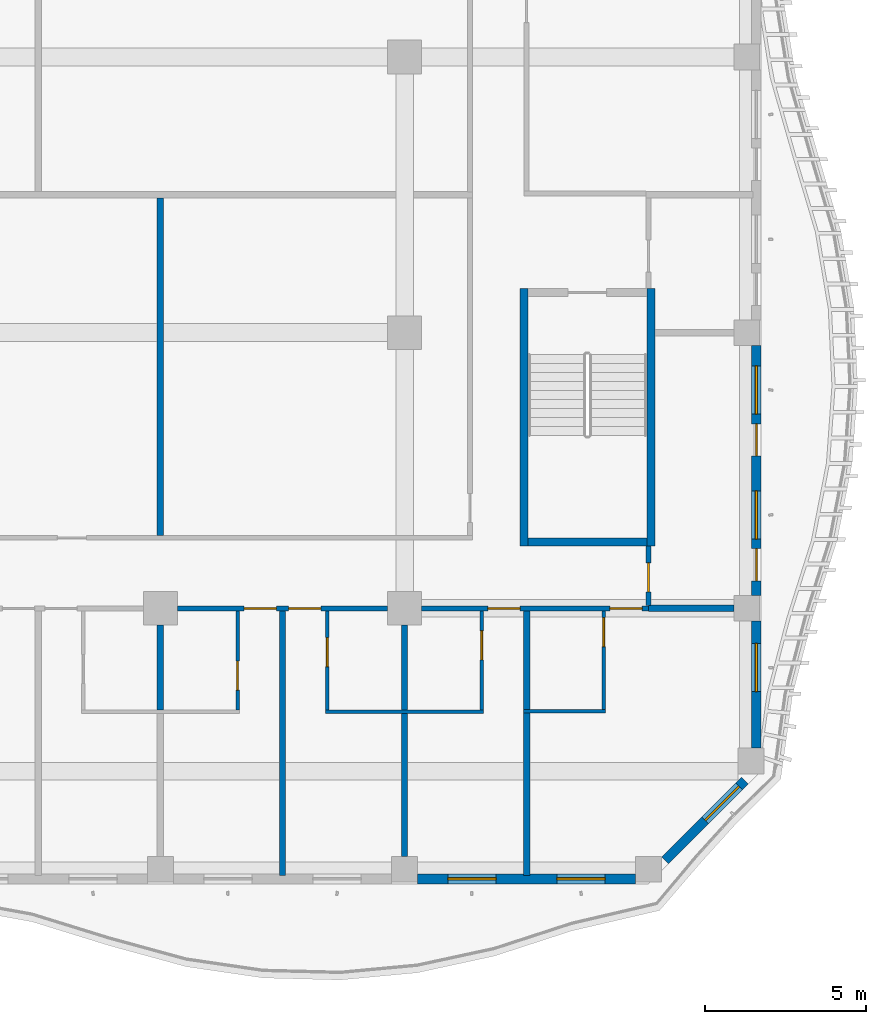
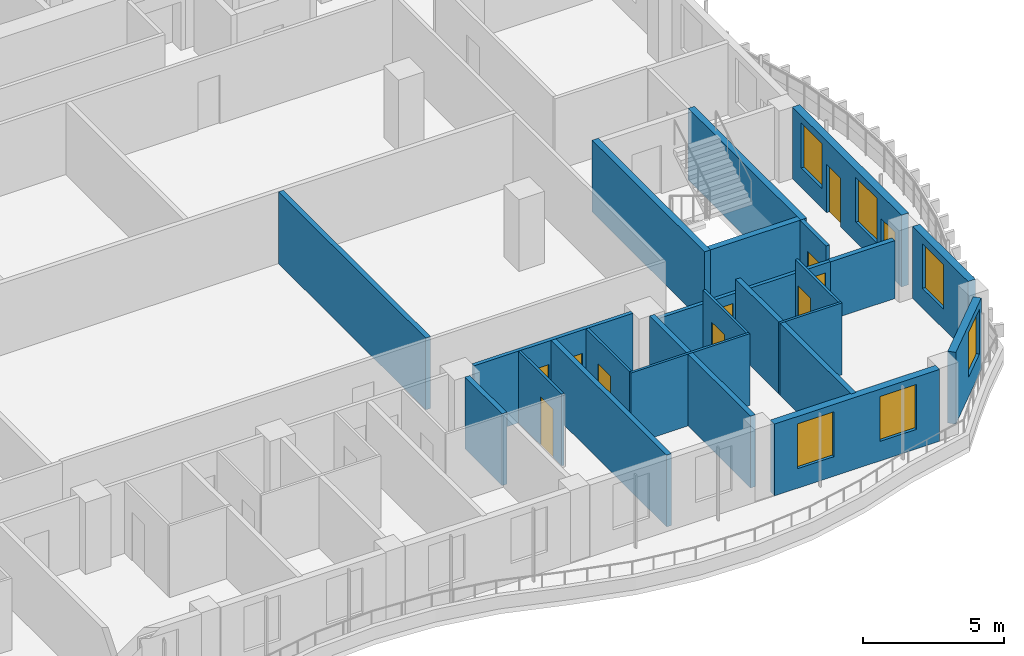
# One storey, part 5 of 22: 24 walls, 11 doors, 6 windows, 17 openings.
"""IFC4 building model written with IfcOpenShell, lengths in metres."""

from ifc_helpers import new_model, si_unit, direction, frame, frame_2d, origin, place, context, subcontext, project, spatial, rectangle, extrude, source, transform, mapped, material, layer, layer_set, type_object, element, fill, save


model = new_model("IFC4")

# Units and contexts
model_context = context("Model", 3, precision=1e-05, world=origin(), true_north=direction((0.0, 1.0)))
body_context = subcontext(model_context, "Body", "Model", "MODEL_VIEW")
ifc_project = project(units=[si_unit("LENGTHUNIT", "METRE"), si_unit("AREAUNIT", "SQUARE_METRE"), si_unit("VOLUMEUNIT", "CUBIC_METRE"), si_unit("PLANEANGLEUNIT", "RADIAN"), si_unit("MASSUNIT", "GRAM", prefix="KILO")], contexts=[model_context])

# Site, building, storey
site_placement = place(None, origin())
site = spatial("IfcSite", under=ifc_project, at=site_placement, CompositionType="ELEMENT")
building_placement = place(site_placement, origin())
building = spatial("IfcBuilding", under=site, at=building_placement, Name="Kilnfold Tower and Market Hall", CompositionType="ELEMENT")
storey_placement = place(building_placement, frame((0.0, 0.0, 188.89990234375)))
storey = spatial("IfcBuildingStorey", under=building, at=storey_placement, Name="L45", CompositionType="ELEMENT", Elevation=188.89990234375)

# Wall, openings, doors
ifc_material_1 = material(Name="Gypsum board on steel studs", Category="steel")
ifc_layer_1 = layer(ifc_material_1, 0.14990234375)
ifc_layer_set_1 = layer_set([ifc_layer_1], Name="Gypsum board on steel studs")
wall_type_1 = type_object("IfcWallType", Name="WALL CORRIDOR 150", PredefinedType="PARTITIONING", material=ifc_layer_set_1)
wall_1_placement = place(storey_placement, frame((7.10791015625, -17.699951171875, 0.0), z_axis=(0.0, 0.0, 1.0), x_axis=(1.0, 0.0, 0.0)))
wall_1 = element("IfcWall", 1, at=wall_1_placement, inside=storey, type_object=wall_type_1, Name="Partition LY28.5", PredefinedType="PARTITIONING", context=body_context, shape_type="SweptSolid", body=[
    extrude(rectangle(XDim=6.5341796875, YDim=0.14990234375, at=frame_2d((3.26708984375, 0.0))), origin(), (0.0, 0.0, 1.0), 3.1201171875),
])
opening_1_placement = place(wall_1_placement, frame((2.076904296875, 0.0, 0.0)))
opening_1 = element("IfcOpeningElement", 2, at=opening_1_placement, cuts=wall_1, Name="Opening D1", PredefinedType="OPENING", context=body_context, shape_type="SweptSolid", body=[
    extrude(rectangle(XDim=1.0, YDim=2.10009765625, at=frame_2d((0.5, 1.050048828125))), frame((0.0, 0.0849609375, 0.0), z_axis=(0.0, -1.0, 0.0), x_axis=(1.0, 0.0, 0.0)), (0.0, 0.0, 1.0), 0.169921875),
])
opening_2_placement = place(wall_1_placement, frame((3.45703125, 0.0, 0.0)))
opening_2 = element("IfcOpeningElement", 3, at=opening_2_placement, cuts=wall_1, Name="Opening D1", PredefinedType="OPENING", context=body_context, shape_type="SweptSolid", body=[
    extrude(rectangle(XDim=1.0, YDim=2.10009765625, at=frame_2d((0.5, 1.050048828125))), frame((0.0, 0.0849609375, 0.0), z_axis=(0.0, -1.0, 0.0), x_axis=(1.0, 0.0, 0.0)), (0.0, 0.0, 1.0), 0.169921875),
])
ifc_material_2 = material(Name="Timber veneer door leaf in steel frame", Category="steel")
door_type_1 = type_object("IfcDoorType", Name="DOOR ENTRY 1000 X2100", OperationType="NOTDEFINED", PredefinedType="DOOR", material=ifc_material_2)
door_1_placement = place(opening_1_placement, origin())
door_1 = element("IfcDoor", 4, at=door_1_placement, inside=storey, type_object=door_type_1, Name="Door D1", OperationType="SINGLE_SWING_RIGHT", OverallHeight=2.10009765625, OverallWidth=1.0, PredefinedType="DOOR", context=body_context, shape_type="SweptSolid", body=[
    extrude(rectangle(XDim=1.0, YDim=2.10009765625, at=frame_2d((0.5, 1.050048828125))), frame((0.0, 0.02490234375, 0.0), z_axis=(0.0, -1.0, 0.0), x_axis=(1.0, 0.0, 0.0)), (0.0, 0.0, 1.0), 0.050048828125),
])
fill(opening_1, door_1)
door_2_placement = place(opening_2_placement, origin())
door_2 = element("IfcDoor", 5, at=door_2_placement, inside=storey, type_object=door_type_1, Name="Door D1", OperationType="SINGLE_SWING_LEFT", OverallHeight=2.10009765625, OverallWidth=1.0, PredefinedType="DOOR", context=body_context, shape_type="SweptSolid", body=[
    extrude(rectangle(XDim=1.0, YDim=2.10009765625, at=frame_2d((0.5, 1.050048828125))), frame((0.0, 0.02490234375, 0.0), z_axis=(0.0, -1.0, 0.0), x_axis=(1.0, 0.0, 0.0)), (0.0, 0.0, 1.0), 0.050048828125),
])
fill(opening_2, door_2)

wall_2_placement = place(storey_placement, frame((14.69189453125, -17.699951171875, 0.0), z_axis=(0.0, 0.0, 1.0), x_axis=(1.0, 0.0, 0.0)))
wall_2 = element("IfcWall", 6, at=wall_2_placement, inside=storey, type_object=wall_type_1, Name="Partition LY28.6", PredefinedType="PARTITIONING", context=body_context, shape_type="SweptSolid", body=[
    extrude(rectangle(XDim=7.05810546875, YDim=0.14990234375, at=frame_2d((3.529052734375, 0.0))), origin(), (0.0, 0.0, 1.0), 2.52001953125),
])
opening_3_placement = place(wall_2_placement, frame((2.06494140625, 0.0, 0.0)))
opening_3 = element("IfcOpeningElement", 7, at=opening_3_placement, cuts=wall_2, Name="Opening D1", PredefinedType="OPENING", context=body_context, shape_type="SweptSolid", body=[
    extrude(rectangle(XDim=1.0, YDim=2.10009765625, at=frame_2d((0.5, 1.050048828125))), frame((0.0, 0.0849609375, 0.0), z_axis=(0.0, -1.0, 0.0), x_axis=(1.0, 0.0, 0.0)), (0.0, 0.0, 1.0), 0.169921875),
])
opening_4_placement = place(wall_2_placement, frame((5.85791015625, 0.0, 0.0)))
opening_4 = element("IfcOpeningElement", 8, at=opening_4_placement, cuts=wall_2, Name="Opening D1", PredefinedType="OPENING", context=body_context, shape_type="SweptSolid", body=[
    extrude(rectangle(XDim=1.0, YDim=2.10009765625, at=frame_2d((0.5, 1.050048828125))), frame((0.0, 0.0849609375, 0.0), z_axis=(0.0, -1.0, 0.0), x_axis=(1.0, 0.0, 0.0)), (0.0, 0.0, 1.0), 0.169921875),
])
door_3_placement = place(opening_3_placement, origin())
door_3 = element("IfcDoor", 9, at=door_3_placement, inside=storey, type_object=door_type_1, Name="Door D1", OperationType="SINGLE_SWING_LEFT", OverallHeight=2.10009765625, OverallWidth=1.0, PredefinedType="DOOR", context=body_context, shape_type="SweptSolid", body=[
    extrude(rectangle(XDim=1.0, YDim=2.10009765625, at=frame_2d((0.5, 1.050048828125))), frame((0.0, 0.02490234375, 0.0), z_axis=(0.0, -1.0, 0.0), x_axis=(1.0, 0.0, 0.0)), (0.0, 0.0, 1.0), 0.050048828125),
])
fill(opening_3, door_3)
door_4_placement = place(opening_4_placement, origin())
door_4 = element("IfcDoor", 10, at=door_4_placement, inside=storey, type_object=door_type_1, Name="Door D1", OperationType="SINGLE_SWING_RIGHT", OverallHeight=2.10009765625, OverallWidth=1.0, PredefinedType="DOOR", context=body_context, shape_type="SweptSolid", body=[
    extrude(rectangle(XDim=1.0, YDim=2.10009765625, at=frame_2d((0.5, 1.050048828125))), frame((0.0, 0.02490234375, 0.0), z_axis=(0.0, -1.0, 0.0), x_axis=(1.0, 0.0, 0.0)), (0.0, 0.0, 1.0), 0.050048828125),
])
fill(opening_4, door_4)

# Wall, opening, door
wall_3_placement = place(storey_placement, frame((21.75, -17.597900390625, 0.0), z_axis=(0.0, 0.0, 1.0), x_axis=(0.0, 1.0, 0.0)))
wall_3 = element("IfcWall", 11, at=wall_3_placement, inside=storey, type_object=wall_type_1, Name="Partition LY28.38", PredefinedType="PARTITIONING", context=body_context, shape_type="SweptSolid", body=[
    extrude(rectangle(XDim=1.847900390625, YDim=0.14990234375, at=frame_2d((0.923828125, 0.0))), origin(), (0.0, 0.0, 1.0), 3.1201171875),
])
opening_5_placement = place(wall_3_placement, frame((0.4189453125, 0.0, 0.0)))
opening_5 = element("IfcOpeningElement", 12, at=opening_5_placement, cuts=wall_3, Name="Opening D2", PredefinedType="OPENING", context=body_context, shape_type="SweptSolid", body=[
    extrude(rectangle(XDim=0.89990234375, YDim=2.10009765625, at=frame_2d((0.449951171875, 1.050048828125))), frame((0.0, 0.0849609375, 0.0), z_axis=(0.0, -1.0, 0.0), x_axis=(1.0, 0.0, 0.0)), (0.0, 0.0, 1.0), 0.169921875),
])
ifc_material_3 = material(Name="Timber veneer door leaf in steel frame", Category="steel")
door_type_2 = type_object("IfcDoorType", Name="DOOR ROOM 900 X2100", OperationType="NOTDEFINED", PredefinedType="DOOR", material=ifc_material_3)
door_5_placement = place(opening_5_placement, origin())
door_5 = element("IfcDoor", 13, at=door_5_placement, inside=storey, type_object=door_type_2, Name="Door D2", OperationType="SINGLE_SWING_LEFT", OverallHeight=2.10009765625, OverallWidth=0.89990234375, PredefinedType="DOOR", context=body_context, shape_type="SweptSolid", body=[
    extrude(rectangle(XDim=0.89990234375, YDim=2.10009765625, at=frame_2d((0.449951171875, 1.050048828125))), frame((0.0, 0.02490234375, 0.0), z_axis=(0.0, -1.0, 0.0), x_axis=(1.0, 0.0, 0.0)), (0.0, 0.0, 1.0), 0.050048828125),
])
fill(opening_5, door_5)

ifc_material_4 = material(Name="Gypsum board on steel studs", Category="steel")
ifc_layer_2 = layer(ifc_material_4, 0.10009765625)
ifc_layer_set_2 = layer_set([ifc_layer_2], Name="Gypsum board on steel studs")
wall_type_2 = type_object("IfcWallType", Name="WALL PARTITION 100", PredefinedType="PARTITIONING", material=ifc_layer_set_2)
wall_4_placement = place(storey_placement, frame((8.98291015625, -17.777099609375, 0.0), z_axis=(0.0, 0.0, 1.0), x_axis=(0.0, -1.0, 0.0)))
wall_4 = element("IfcWall", 14, at=wall_4_placement, inside=storey, type_object=wall_type_2, Name="Partition LY28.75", PredefinedType="PARTITIONING", context=body_context, shape_type="SweptSolid", body=[
    extrude(rectangle(XDim=3.074951171875, YDim=0.10009765625, at=frame_2d((1.53759765625, 0.0))), origin(), (0.0, 0.0, 1.0), 3.1201171875),
])
opening_6_placement = place(wall_4_placement, frame((1.556884765625, 0.0, 0.0)))
opening_6 = element("IfcOpeningElement", 15, at=opening_6_placement, cuts=wall_4, Name="Opening D3", PredefinedType="OPENING", context=body_context, shape_type="SweptSolid", body=[
    extrude(rectangle(XDim=0.89990234375, YDim=2.10009765625, at=frame_2d((0.449951171875, 1.050048828125))), frame((0.0, 0.06005859375, 0.0), z_axis=(0.0, -1.0, 0.0), x_axis=(1.0, 0.0, 0.0)), (0.0, 0.0, 1.0), 0.1201171875),
])
ifc_material_5 = material(Name="Timber veneer door leaf in steel frame", Category="steel")
door_type_3 = type_object("IfcDoorType", Name="DOOR WC 900 X2100", OperationType="NOTDEFINED", PredefinedType="DOOR", material=ifc_material_5)
door_6_placement = place(opening_6_placement, origin())
door_6 = element("IfcDoor", 16, at=door_6_placement, inside=storey, type_object=door_type_3, Name="Door D3", OperationType="SINGLE_SWING_RIGHT", OverallHeight=2.10009765625, OverallWidth=0.89990234375, PredefinedType="DOOR", context=body_context, shape_type="SweptSolid", body=[
    extrude(rectangle(XDim=0.89990234375, YDim=2.10009765625, at=frame_2d((0.449951171875, 1.050048828125))), frame((0.0, 0.02490234375, 0.0), z_axis=(0.0, -1.0, 0.0), x_axis=(1.0, 0.0, 0.0)), (0.0, 0.0, 1.0), 0.050048828125),
])
fill(opening_6, door_6)

wall_5_placement = place(storey_placement, frame((11.76708984375, -20.85205078125, 0.0), z_axis=(0.0, 0.0, 1.0), x_axis=(0.0, 1.0, 0.0)))
wall_5 = element("IfcWall", 17, at=wall_5_placement, inside=storey, type_object=wall_type_2, Name="Partition LY28.77", PredefinedType="PARTITIONING", context=body_context, shape_type="SweptSolid", body=[
    extrude(rectangle(XDim=3.074951171875, YDim=0.10009765625, at=frame_2d((1.53759765625, 0.0))), origin(), (0.0, 0.0, 1.0), 3.1201171875),
])
opening_7_placement = place(wall_5_placement, frame((1.34912109375, 0.0, 0.0)))
opening_7 = element("IfcOpeningElement", 18, at=opening_7_placement, cuts=wall_5, Name="Opening D3", PredefinedType="OPENING", context=body_context, shape_type="SweptSolid", body=[
    extrude(rectangle(XDim=0.89990234375, YDim=2.10009765625, at=frame_2d((0.449951171875, 1.050048828125))), frame((0.0, 0.06005859375, 0.0), z_axis=(0.0, -1.0, 0.0), x_axis=(1.0, 0.0, 0.0)), (0.0, 0.0, 1.0), 0.1201171875),
])
door_7_placement = place(opening_7_placement, origin())
door_7 = element("IfcDoor", 19, at=door_7_placement, inside=storey, type_object=door_type_3, Name="Door D3", OperationType="SINGLE_SWING_RIGHT", OverallHeight=2.10009765625, OverallWidth=0.89990234375, PredefinedType="DOOR", context=body_context, shape_type="SweptSolid", body=[
    extrude(rectangle(XDim=0.89990234375, YDim=2.10009765625, at=frame_2d((0.449951171875, 1.050048828125))), frame((0.0, 0.02490234375, 0.0), z_axis=(0.0, -1.0, 0.0), x_axis=(1.0, 0.0, 0.0)), (0.0, 0.0, 1.0), 0.050048828125),
])
fill(opening_7, door_7)

# Wall
wall_6_placement = place(storey_placement, frame((11.717041015625, -20.902099609375, 0.0), z_axis=(0.0, 0.0, 1.0), x_axis=(1.0, 0.0, 0.0)))
element("IfcWall", 20, at=wall_6_placement, inside=storey, type_object=wall_type_2, Name="Partition LY28.78", PredefinedType="PARTITIONING", context=body_context, shape_type="SweptSolid", body=[
    extrude(rectangle(XDim=4.89990234375, YDim=0.10009765625, at=frame_2d((2.449951171875, 0.0))), origin(), (0.0, 0.0, 1.0), 3.1201171875),
])

# Wall, opening, door
wall_7_placement = place(storey_placement, frame((16.56689453125, -17.777099609375, 0.0), z_axis=(0.0, 0.0, 1.0), x_axis=(0.0, -1.0, 0.0)))
wall_7 = element("IfcWall", 21, at=wall_7_placement, inside=storey, type_object=wall_type_2, Name="Partition LY28.81", PredefinedType="PARTITIONING", context=body_context, shape_type="SweptSolid", body=[
    extrude(rectangle(XDim=3.074951171875, YDim=0.10009765625, at=frame_2d((1.53759765625, 0.0))), origin(), (0.0, 0.0, 1.0), 3.1201171875),
])
opening_8_placement = place(wall_7_placement, frame((0.617919921875, 0.0, 0.0)))
opening_8 = element("IfcOpeningElement", 22, at=opening_8_placement, cuts=wall_7, Name="Opening D3", PredefinedType="OPENING", context=body_context, shape_type="SweptSolid", body=[
    extrude(rectangle(XDim=0.89990234375, YDim=2.10009765625, at=frame_2d((0.449951171875, 1.050048828125))), frame((0.0, 0.06005859375, 0.0), z_axis=(0.0, -1.0, 0.0), x_axis=(1.0, 0.0, 0.0)), (0.0, 0.0, 1.0), 0.1201171875),
])
door_8_placement = place(opening_8_placement, origin())
door_8 = element("IfcDoor", 23, at=door_8_placement, inside=storey, type_object=door_type_3, Name="Door D3", OperationType="SINGLE_SWING_LEFT", OverallHeight=2.10009765625, OverallWidth=0.89990234375, PredefinedType="DOOR", context=body_context, shape_type="SweptSolid", body=[
    extrude(rectangle(XDim=0.89990234375, YDim=2.10009765625, at=frame_2d((0.449951171875, 1.050048828125))), frame((0.0, 0.02490234375, 0.0), z_axis=(0.0, -1.0, 0.0), x_axis=(1.0, 0.0, 0.0)), (0.0, 0.0, 1.0), 0.050048828125),
])
fill(opening_8, door_8)

# Wall
wall_8_placement = place(storey_placement, frame((17.85888671875, -20.887939453125, 0.0), z_axis=(0.0, 0.0, 1.0), x_axis=(1.0, 0.0, 0.0)))
element("IfcWall", 24, at=wall_8_placement, inside=storey, type_object=wall_type_2, Name="Partition LY28.84", PredefinedType="PARTITIONING", context=body_context, shape_type="SweptSolid", body=[
    extrude(rectangle(XDim=2.550048828125, YDim=0.10009765625, at=frame_2d((1.27490234375, 0.0))), origin(), (0.0, 0.0, 1.0), 3.1201171875),
])

# Wall, opening, door
wall_9_placement = place(storey_placement, frame((20.35888671875, -17.777099609375, 0.0), z_axis=(0.0, 0.0, 1.0), x_axis=(0.0, -1.0, 0.0)))
wall_9 = element("IfcWall", 25, at=wall_9_placement, inside=storey, type_object=wall_type_2, Name="Partition LY28.85", PredefinedType="PARTITIONING", context=body_context, shape_type="SweptSolid", body=[
    extrude(rectangle(XDim=3.060791015625, YDim=0.10009765625, at=frame_2d((1.5302734375, 0.0))), origin(), (0.0, 0.0, 1.0), 3.1201171875),
])
opening_9_placement = place(wall_9_placement, frame((0.199951171875, 0.0, 0.0)))
opening_9 = element("IfcOpeningElement", 26, at=opening_9_placement, cuts=wall_9, Name="Opening D3", PredefinedType="OPENING", context=body_context, shape_type="SweptSolid", body=[
    extrude(rectangle(XDim=0.89990234375, YDim=2.10009765625, at=frame_2d((0.449951171875, 1.050048828125))), frame((0.0, 0.06005859375, 0.0), z_axis=(0.0, -1.0, 0.0), x_axis=(1.0, 0.0, 0.0)), (0.0, 0.0, 1.0), 0.1201171875),
])
door_9_placement = place(opening_9_placement, origin())
door_9 = element("IfcDoor", 27, at=door_9_placement, inside=storey, type_object=door_type_3, Name="Door D3", OperationType="SINGLE_SWING_LEFT", OverallHeight=2.10009765625, OverallWidth=0.89990234375, PredefinedType="DOOR", context=body_context, shape_type="SweptSolid", body=[
    extrude(rectangle(XDim=0.89990234375, YDim=2.10009765625, at=frame_2d((0.449951171875, 1.050048828125))), frame((0.0, 0.02490234375, 0.0), z_axis=(0.0, -1.0, 0.0), x_axis=(1.0, 0.0, 0.0)), (0.0, 0.0, 1.0), 0.050048828125),
])
fill(opening_9, door_9)

# Walls
ifc_material_6 = material(Name="Gypsum board on steel studs", Category="steel")
ifc_layer_3 = layer(ifc_material_6, 0.199951171875)
ifc_layer_set_3 = layer_set([ifc_layer_3], Name="Gypsum board on steel studs")
wall_type_3 = type_object("IfcWallType", Name="WALL PARTY 200", PredefinedType="PARTITIONING", material=ifc_layer_set_3)
wall_10_placement = place(storey_placement, frame((6.5830078125, -20.85205078125, 0.0), z_axis=(0.0, 0.0, 1.0), x_axis=(0.0, 1.0, 0.0)))
element("IfcWall", 28, at=wall_10_placement, inside=storey, type_object=wall_type_3, Name="Partition LY28.74", PredefinedType="PARTITIONING", context=body_context, shape_type="SweptSolid", body=[
    extrude(rectangle(XDim=2.64013671875, YDim=0.199951171875, at=frame_2d((1.320068359375, 0.0))), origin(), (0.0, 0.0, 1.0), 3.1201171875),
])
wall_11_placement = place(storey_placement, frame((10.375, -26.0, 0.0), z_axis=(0.0, 0.0, 1.0), x_axis=(0.0, 1.0, 0.0)))
element("IfcWall", 29, at=wall_11_placement, inside=storey, type_object=wall_type_3, Name="Partition LY28.76", PredefinedType="PARTITIONING", context=body_context, shape_type="SweptSolid", body=[
    extrude(rectangle(XDim=8.222900390625, YDim=0.199951171875, at=frame_2d((4.111328125, 0.0))), origin(), (0.0, 0.0, 1.0), 3.1201171875),
])
wall_12_placement = place(storey_placement, frame((14.1669921875, -25.39990234375, 0.0), z_axis=(0.0, 0.0, 1.0), x_axis=(0.0, 1.0, 0.0)))
element("IfcWall", 30, at=wall_12_placement, inside=storey, type_object=wall_type_3, Name="Partition LY28.79", PredefinedType="PARTITIONING", context=body_context, shape_type="SweptSolid", body=[
    extrude(rectangle(XDim=4.447998046875, YDim=0.199951171875, at=frame_2d((2.22412109375, 0.0))), origin(), (0.0, 0.0, 1.0), 3.1201171875),
])
wall_13_placement = place(storey_placement, frame((14.1669921875, -20.85205078125, 0.0), z_axis=(0.0, 0.0, 1.0), x_axis=(0.0, 1.0, 0.0)))
element("IfcWall", 31, at=wall_13_placement, inside=storey, type_object=wall_type_3, Name="Partition LY28.80", PredefinedType="PARTITIONING", context=body_context, shape_type="SweptSolid", body=[
    extrude(rectangle(XDim=2.64013671875, YDim=0.199951171875, at=frame_2d((1.320068359375, 0.0))), origin(), (0.0, 0.0, 1.0), 3.1201171875),
])
wall_14_placement = place(storey_placement, frame((17.958984375, -26.0, 0.0), z_axis=(0.0, 0.0, 1.0), x_axis=(0.0, 1.0, 0.0)))
element("IfcWall", 32, at=wall_14_placement, inside=storey, type_object=wall_type_3, Name="Partition LY28.82", PredefinedType="PARTITIONING", context=body_context, shape_type="SweptSolid", body=[
    extrude(rectangle(XDim=5.072021484375, YDim=0.199951171875, at=frame_2d((2.5361328125, 0.0))), origin(), (0.0, 0.0, 1.0), 3.1201171875),
])
wall_15_placement = place(storey_placement, frame((17.958984375, -20.847900390625, 0.0), z_axis=(0.0, 0.0, 1.0), x_axis=(0.0, 1.0, 0.0)))
element("IfcWall", 33, at=wall_15_placement, inside=storey, type_object=wall_type_3, Name="Partition LY28.83", PredefinedType="PARTITIONING", context=body_context, shape_type="SweptSolid", body=[
    extrude(rectangle(XDim=3.07080078125, YDim=0.199951171875, at=frame_2d((1.535400390625, 0.0))), origin(), (0.0, 0.0, 1.0), 3.1201171875),
])
wall_16_placement = place(storey_placement, frame((21.751953125, -17.68798828125, 0.0), z_axis=(0.0, 0.0, 1.0), x_axis=(1.0, 0.0, 0.0)))
element("IfcWall", 34, at=wall_16_placement, inside=storey, type_object=wall_type_3, Name="Partition LY28.86", PredefinedType="PARTITIONING", context=body_context, shape_type="SweptSolid", body=[
    extrude(rectangle(XDim=2.64794921875, YDim=0.199951171875, at=frame_2d((1.323974609375, 0.0))), origin(), (0.0, 0.0, 1.0), 2.52001953125),
])
wall_17_placement = place(storey_placement, frame((6.5830078125, -15.423095703125, 0.0), z_axis=(0.0, 0.0, 1.0), x_axis=(0.0, 1.0, 0.0)))
element("IfcWall", 35, at=wall_17_placement, inside=storey, type_object=wall_type_3, Name="Partition LY28.127", PredefinedType="PARTITIONING", context=body_context, shape_type="SweptSolid", body=[
    extrude(rectangle(XDim=10.47998046875, YDim=0.199951171875, at=frame_2d((5.239990234375, 0.0))), origin(), (0.0, 0.0, 1.0), 3.1201171875),
])
ifc_material_7 = material(Name="Concrete C60", Category="concrete")
ifc_layer_4 = layer(ifc_material_7, 0.25)
ifc_layer_set_4 = layer_set([ifc_layer_4], Name="Concrete C60")
wall_type_4 = type_object("IfcWallType", Name="CORE WALL 250 C60", PredefinedType="SHEAR", material=ifc_layer_set_4)
shared_shape_1 = source(origin(), body_context, "Body", "SweptSolid", [
    extrude(rectangle(XDim=3.699951171875, YDim=0.25, at=frame_2d((1.85009765625, 0.0))), origin(), (0.0, 0.0, 1.0), 3.1201171875),
])
wall_18_placement = place(storey_placement, frame((18.0, -15.625, 0.0), z_axis=(0.0, 0.0, 1.0), x_axis=(1.0, 0.0, 0.0)))
element("IfcWall", 36, at=wall_18_placement, inside=storey, type_object=wall_type_4, Name="Stair enclosure ST4", PredefinedType="SHEAR", context=body_context, shape_type="MappedRepresentation", body=[
    mapped(shared_shape_1, transform((0.0, 0.0, 0.0))),
])
shared_shape_2 = source(origin(), body_context, "Body", "SweptSolid", [
    extrude(rectangle(XDim=8.0, YDim=0.25, at=frame_2d((4.0, 0.0))), origin(), (0.0, 0.0, 1.0), 3.1201171875),
])
for number, where, z_axis, x_axis, name in (
    (37, (17.875, -15.75, 0.0), (0.0, 0.0, 1.0), (0.0, 1.0, 0.0), "Stair enclosure ST4"),
    (38, (21.824951171875, -15.75, 0.0), (0.0, 0.0, 1.0), (0.0, 1.0, 0.0), "Stair enclosure ST4"),
):
    element("IfcWall", number, at=place(storey_placement, frame(where, z_axis=z_axis, x_axis=x_axis)), inside=storey, type_object=wall_type_4, Name=name, PredefinedType="SHEAR", context=body_context, shape_type="MappedRepresentation", body=[
        mapped(shared_shape_2, transform((0.0, 0.0, 0.0))),
    ])

# Wall, openings, windows
ifc_material_8 = material(Name="Precast concrete C50/60", Category="concrete")
ifc_layer_5 = layer(ifc_material_8, 0.300048828125)
ifc_layer_set_5 = layer_set([ifc_layer_5], Name="Precast concrete C50/60")
wall_type_5 = type_object("IfcWallType", Name="PRECAST WALL 300", PredefinedType="SOLIDWALL", material=ifc_layer_set_5)
shared_shape_3 = source(origin(), body_context, "Body", "SweptSolid", [
    extrude(rectangle(XDim=6.783447265625, YDim=0.300048828125, at=frame_2d((3.3916015625, 0.0))), origin(), (0.0, 0.0, 1.0), 3.1201171875),
])
wall_19_placement = place(storey_placement, frame((14.566650390625, -26.10009765625, 0.0), z_axis=(0.0, 0.0, 1.0), x_axis=(1.0, 0.0, 0.0)))
wall_19 = element("IfcWall", 39, at=wall_19_placement, inside=storey, type_object=wall_type_5, Name="External wall L45 S", PredefinedType="SOLIDWALL", context=body_context, shape_type="MappedRepresentation", body=[
    mapped(shared_shape_3, transform((0.0, 0.0, 0.0))),
])
opening_10_placement = place(wall_19_placement, frame((0.94580078125, 0.0, 0.85009765625)))
opening_10 = element("IfcOpeningElement", 40, at=opening_10_placement, cuts=wall_19, Name="Opening W4", PredefinedType="OPENING", context=body_context, shape_type="SweptSolid", body=[
    extrude(rectangle(XDim=1.5, YDim=1.949951171875, at=frame_2d((0.75, 0.97509765625))), frame((0.0, 0.16015625, 0.0), z_axis=(0.0, -1.0, 0.0), x_axis=(1.0, 0.0, 0.0)), (0.0, 0.0, 1.0), 0.320068359375),
])
opening_11_placement = place(wall_19_placement, frame((4.33740234375, 0.0, 0.85009765625)))
opening_11 = element("IfcOpeningElement", 41, at=opening_11_placement, cuts=wall_19, Name="Opening W4", PredefinedType="OPENING", context=body_context, shape_type="SweptSolid", body=[
    extrude(rectangle(XDim=1.5, YDim=1.949951171875, at=frame_2d((0.75, 0.97509765625))), frame((0.0, 0.16015625, 0.0), z_axis=(0.0, -1.0, 0.0), x_axis=(1.0, 0.0, 0.0)), (0.0, 0.0, 1.0), 0.320068359375),
])
ifc_material_9 = material(Name="Aluminium frame and double glazing", Category="aluminium")
window_type = type_object("IfcWindowType", Name="WINDOW W4 1500X1950", PartitioningType="SINGLE_PANEL", PredefinedType="WINDOW", material=ifc_material_9)
window_1_placement = place(opening_10_placement, origin())
window_1 = element("IfcWindow", 42, at=window_1_placement, inside=storey, type_object=window_type, Name="Window W4 L45 S-1", OverallHeight=1.949951171875, OverallWidth=1.5, PartitioningType="SINGLE_PANEL", PredefinedType="WINDOW", context=body_context, shape_type="SweptSolid", body=[
    extrude(rectangle(XDim=1.5, YDim=1.949951171875, at=frame_2d((0.75, 0.97509765625))), frame((0.0, 0.030029296875, 0.0), z_axis=(0.0, -1.0, 0.0), x_axis=(1.0, 0.0, 0.0)), (0.0, 0.0, 1.0), 0.06005859375),
])
fill(opening_10, window_1)
window_2_placement = place(opening_11_placement, origin())
window_2 = element("IfcWindow", 43, at=window_2_placement, inside=storey, type_object=window_type, Name="Window W4 L45 S-2", OverallHeight=1.949951171875, OverallWidth=1.5, PartitioningType="SINGLE_PANEL", PredefinedType="WINDOW", context=body_context, shape_type="SweptSolid", body=[
    extrude(rectangle(XDim=1.5, YDim=1.949951171875, at=frame_2d((0.75, 0.97509765625))), frame((0.0, 0.030029296875, 0.0), z_axis=(0.0, -1.0, 0.0), x_axis=(1.0, 0.0, 0.0)), (0.0, 0.0, 1.0), 0.06005859375),
])
fill(opening_11, window_2)

# Wall, opening, window
shared_shape_4 = source(origin(), body_context, "Body", "SweptSolid", [
    extrude(rectangle(XDim=3.500244140625, YDim=0.300048828125, at=frame_2d((1.75, 0.0))), origin(), (0.0, 0.0, 1.0), 3.1201171875),
])
wall_20_placement = place(storey_placement, frame((22.268798828125, -25.518798828125, 0.0), z_axis=(0.0, 0.0, 1.0), x_axis=(0.707141656123, 0.70707190453, 0.0)))
wall_20 = element("IfcWall", 44, at=wall_20_placement, inside=storey, type_object=wall_type_5, Name="External wall L45 SE", PredefinedType="SOLIDWALL", context=body_context, shape_type="MappedRepresentation", body=[
    mapped(shared_shape_4, transform((0.0, 0.0, 0.0))),
])
opening_12_placement = place(wall_20_placement, frame((1.75, 0.0, 0.85009765625)))
opening_12 = element("IfcOpeningElement", 45, at=opening_12_placement, cuts=wall_20, Name="Opening W4", PredefinedType="OPENING", context=body_context, shape_type="SweptSolid", body=[
    extrude(rectangle(XDim=1.5, YDim=1.949951171875, at=frame_2d((0.75, 0.97509765625))), frame((0.0, 0.16015625, 0.0), z_axis=(0.0, -1.0, 0.0), x_axis=(1.0, 0.0, 0.0)), (0.0, 0.0, 1.0), 0.320068359375),
])
window_3_placement = place(opening_12_placement, origin())
window_3 = element("IfcWindow", 46, at=window_3_placement, inside=storey, type_object=window_type, Name="Window W4 L45 SE-1", OverallHeight=1.949951171875, OverallWidth=1.5, PartitioningType="SINGLE_PANEL", PredefinedType="WINDOW", context=body_context, shape_type="SweptSolid", body=[
    extrude(rectangle(XDim=1.5, YDim=1.949951171875, at=frame_2d((0.75, 0.97509765625))), frame((0.0, 0.030029296875, 0.0), z_axis=(0.0, -1.0, 0.0), x_axis=(1.0, 0.0, 0.0)), (0.0, 0.0, 1.0), 0.06005859375),
])
fill(opening_12, window_3)

shared_shape_5 = source(origin(), body_context, "Body", "SweptSolid", [
    extrude(rectangle(XDim=3.9443359375, YDim=0.300048828125, at=frame_2d((1.97216796875, 0.0))), origin(), (0.0, 0.0, 1.0), 3.1201171875),
])
wall_21_placement = place(storey_placement, frame((25.10009765625, -22.03173828125, 0.0), z_axis=(0.0, 0.0, 1.0), x_axis=(0.0, 1.0, 0.0)))
wall_21 = element("IfcWall", 47, at=wall_21_placement, inside=storey, type_object=wall_type_5, Name="External wall L45 E", PredefinedType="SOLIDWALL", context=body_context, shape_type="MappedRepresentation", body=[
    mapped(shared_shape_5, transform((0.0, 0.0, 0.0))),
])
opening_13_placement = place(wall_21_placement, frame((1.75, 0.0, 0.85009765625)))
opening_13 = element("IfcOpeningElement", 48, at=opening_13_placement, cuts=wall_21, Name="Opening W4", PredefinedType="OPENING", context=body_context, shape_type="SweptSolid", body=[
    extrude(rectangle(XDim=1.5, YDim=1.949951171875, at=frame_2d((0.75, 0.97509765625))), frame((0.0, 0.16015625, 0.0), z_axis=(0.0, -1.0, 0.0), x_axis=(1.0, 0.0, 0.0)), (0.0, 0.0, 1.0), 0.320068359375),
])
window_4_placement = place(opening_13_placement, origin())
window_4 = element("IfcWindow", 49, at=window_4_placement, inside=storey, type_object=window_type, Name="Window W4 L45 E-1", OverallHeight=1.949951171875, OverallWidth=1.5, PartitioningType="SINGLE_PANEL", PredefinedType="WINDOW", context=body_context, shape_type="SweptSolid", body=[
    extrude(rectangle(XDim=1.5, YDim=1.949951171875, at=frame_2d((0.75, 0.97509765625))), frame((0.0, 0.030029296875, 0.0), z_axis=(0.0, -1.0, 0.0), x_axis=(1.0, 0.0, 0.0)), (0.0, 0.0, 1.0), 0.06005859375),
])
fill(opening_13, window_4)

# Wall, openings, doors, windows
shared_shape_6 = source(origin(), body_context, "Body", "SweptSolid", [
    extrude(rectangle(XDim=7.7626953125, YDim=0.300048828125, at=frame_2d((3.88134765625, 0.0))), origin(), (0.0, 0.0, 1.0), 3.1201171875),
])
wall_22_placement = place(storey_placement, frame((25.10009765625, -17.28759765625, 0.0), z_axis=(0.0, 0.0, 1.0), x_axis=(0.0, 1.0, 0.0)))
wall_22 = element("IfcWall", 50, at=wall_22_placement, inside=storey, type_object=wall_type_5, Name="External wall L45 E", PredefinedType="SOLIDWALL", context=body_context, shape_type="MappedRepresentation", body=[
    mapped(shared_shape_6, transform((0.0, 0.0, 0.0))),
])
opening_14_placement = place(wall_22_placement, frame((1.75, 0.0, 0.85009765625)))
opening_14 = element("IfcOpeningElement", 51, at=opening_14_placement, cuts=wall_22, Name="Opening W4", PredefinedType="OPENING", context=body_context, shape_type="SweptSolid", body=[
    extrude(rectangle(XDim=1.5, YDim=1.949951171875, at=frame_2d((0.75, 0.97509765625))), frame((0.0, 0.16015625, 0.0), z_axis=(0.0, -1.0, 0.0), x_axis=(1.0, 0.0, 0.0)), (0.0, 0.0, 1.0), 0.320068359375),
])
opening_15_placement = place(wall_22_placement, frame((0.449951171875, 0.0, 0.0)))
opening_15 = element("IfcOpeningElement", 52, at=opening_15_placement, cuts=wall_22, Name="Opening BD1", PredefinedType="OPENING", context=body_context, shape_type="SweptSolid", body=[
    extrude(rectangle(XDim=1.0, YDim=2.10009765625, at=frame_2d((0.5, 1.050048828125))), frame((0.0, 0.16015625, 0.0), z_axis=(0.0, -1.0, 0.0), x_axis=(1.0, 0.0, 0.0)), (0.0, 0.0, 1.0), 0.320068359375),
])
opening_16_placement = place(wall_22_placement, frame((5.63134765625, 0.0, 0.85009765625)))
opening_16 = element("IfcOpeningElement", 53, at=opening_16_placement, cuts=wall_22, Name="Opening W4", PredefinedType="OPENING", context=body_context, shape_type="SweptSolid", body=[
    extrude(rectangle(XDim=1.5, YDim=1.949951171875, at=frame_2d((0.75, 0.97509765625))), frame((0.0, 0.16015625, 0.0), z_axis=(0.0, -1.0, 0.0), x_axis=(1.0, 0.0, 0.0)), (0.0, 0.0, 1.0), 0.320068359375),
])
opening_17_placement = place(wall_22_placement, frame((4.331298828125, 0.0, 0.0)))
opening_17 = element("IfcOpeningElement", 54, at=opening_17_placement, cuts=wall_22, Name="Opening BD1", PredefinedType="OPENING", context=body_context, shape_type="SweptSolid", body=[
    extrude(rectangle(XDim=1.0, YDim=2.10009765625, at=frame_2d((0.5, 1.050048828125))), frame((0.0, 0.16015625, 0.0), z_axis=(0.0, -1.0, 0.0), x_axis=(1.0, 0.0, 0.0)), (0.0, 0.0, 1.0), 0.320068359375),
])
ifc_material_10 = material(Name="Aluminium frame and double glazing", Category="aluminium")
door_type_4 = type_object("IfcDoorType", Name="BALCONY DOOR 1000X2100", OperationType="NOTDEFINED", PredefinedType="DOOR", material=ifc_material_10)
door_10_placement = place(opening_15_placement, origin())
door_10 = element("IfcDoor", 55, at=door_10_placement, inside=storey, type_object=door_type_4, Name="Balcony door BD1 L45 E-1", OperationType="SINGLE_SWING_LEFT", OverallHeight=2.10009765625, OverallWidth=1.0, PredefinedType="DOOR", context=body_context, shape_type="SweptSolid", body=[
    extrude(rectangle(XDim=1.0, YDim=2.10009765625, at=frame_2d((0.5, 1.050048828125))), frame((0.0, 0.02490234375, 0.0), z_axis=(0.0, -1.0, 0.0), x_axis=(1.0, 0.0, 0.0)), (0.0, 0.0, 1.0), 0.050048828125),
])
fill(opening_15, door_10)
door_11_placement = place(opening_17_placement, origin())
door_11 = element("IfcDoor", 56, at=door_11_placement, inside=storey, type_object=door_type_4, Name="Balcony door BD1 L45 E-2", OperationType="SINGLE_SWING_RIGHT", OverallHeight=2.10009765625, OverallWidth=1.0, PredefinedType="DOOR", context=body_context, shape_type="SweptSolid", body=[
    extrude(rectangle(XDim=1.0, YDim=2.10009765625, at=frame_2d((0.5, 1.050048828125))), frame((0.0, 0.02490234375, 0.0), z_axis=(0.0, -1.0, 0.0), x_axis=(1.0, 0.0, 0.0)), (0.0, 0.0, 1.0), 0.050048828125),
])
fill(opening_17, door_11)
window_5_placement = place(opening_14_placement, origin())
window_5 = element("IfcWindow", 57, at=window_5_placement, inside=storey, type_object=window_type, Name="Window W4 L45 E-1", OverallHeight=1.949951171875, OverallWidth=1.5, PartitioningType="SINGLE_PANEL", PredefinedType="WINDOW", context=body_context, shape_type="SweptSolid", body=[
    extrude(rectangle(XDim=1.5, YDim=1.949951171875, at=frame_2d((0.75, 0.97509765625))), frame((0.0, 0.030029296875, 0.0), z_axis=(0.0, -1.0, 0.0), x_axis=(1.0, 0.0, 0.0)), (0.0, 0.0, 1.0), 0.06005859375),
])
fill(opening_14, window_5)
window_6_placement = place(opening_16_placement, origin())
window_6 = element("IfcWindow", 58, at=window_6_placement, inside=storey, type_object=window_type, Name="Window W4 L45 E-2", OverallHeight=1.949951171875, OverallWidth=1.5, PartitioningType="SINGLE_PANEL", PredefinedType="WINDOW", context=body_context, shape_type="SweptSolid", body=[
    extrude(rectangle(XDim=1.5, YDim=1.949951171875, at=frame_2d((0.75, 0.97509765625))), frame((0.0, 0.030029296875, 0.0), z_axis=(0.0, -1.0, 0.0), x_axis=(1.0, 0.0, 0.0)), (0.0, 0.0, 1.0), 0.06005859375),
])
fill(opening_16, window_6)

save(model, "model.ifc")
